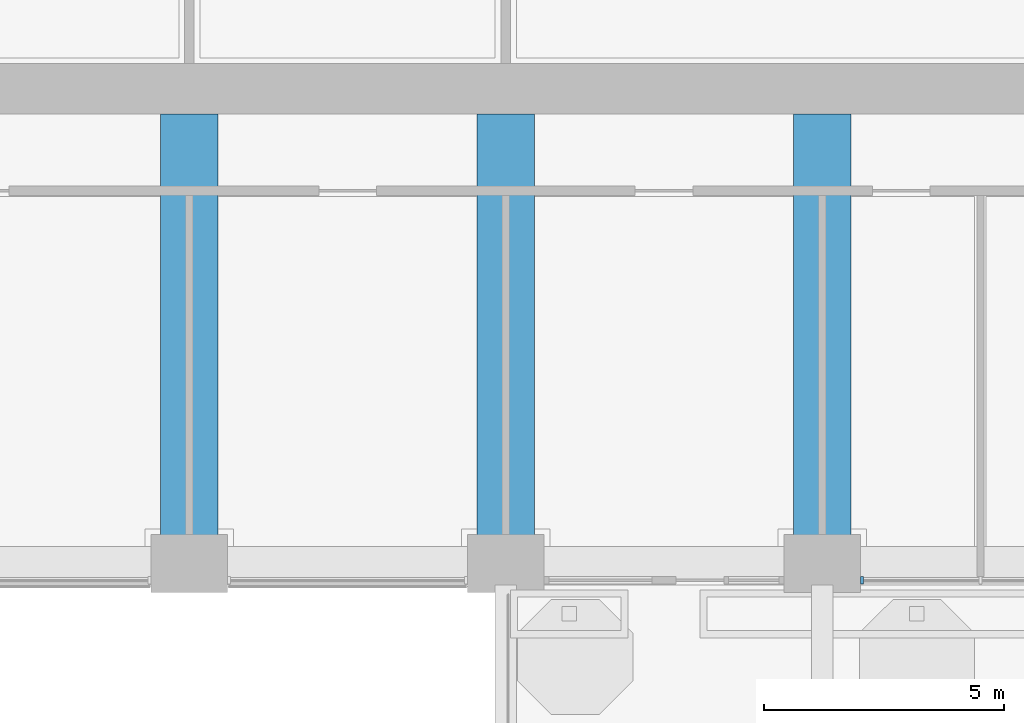
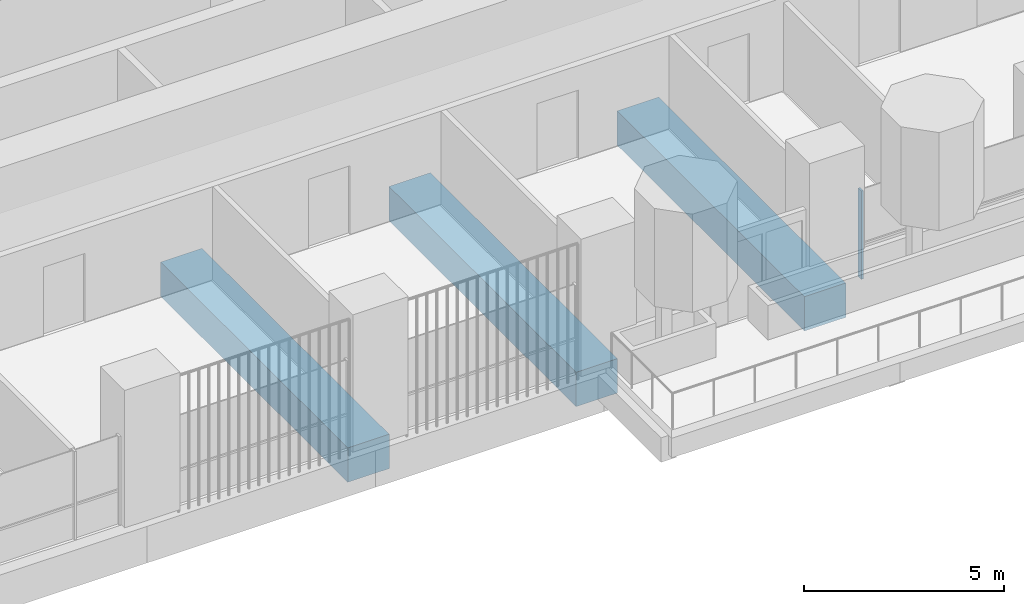
# One storey, part 3 of 20: 3 beams, 1 member, 1 element without a shape of its own.
"""IFC4 building model written with IfcOpenShell, lengths in metres."""

from ifc_helpers import new_model, si_unit, direction, frame, origin, origin_2d, place, context, subcontext, project, spatial, rectangle, extrude, material, material_profile, profile_set, type_object, element, aggregate, save


model = new_model("IFC4")

# Units and contexts
model_context = context("Model", 3, precision=1e-05, world=origin(), true_north=direction((0.0, 1.0)))
body_context = subcontext(model_context, "Body", "Model", "MODEL_VIEW")
ifc_project = project(units=[si_unit("LENGTHUNIT", "METRE"), si_unit("AREAUNIT", "SQUARE_METRE"), si_unit("VOLUMEUNIT", "CUBIC_METRE"), si_unit("PLANEANGLEUNIT", "RADIAN"), si_unit("MASSUNIT", "GRAM", prefix="KILO")], contexts=[model_context])

# Site, building, storey
site_placement = place(None, origin())
site = spatial("IfcSite", under=ifc_project, at=site_placement, CompositionType="ELEMENT")
building_placement = place(site_placement, origin())
building = spatial("IfcBuilding", under=site, at=building_placement, Name="Cobogo Forest Laboratory Tower", CompositionType="ELEMENT")
storey_placement = place(building_placement, frame((0.0, 0.0, 189.300048828125)))
storey = spatial("IfcBuildingStorey", under=building, at=storey_placement, Name="L43", CompositionType="ELEMENT", Elevation=189.300048828125)

# Beams
ifc_material_1 = material(Name="Concrete HA-40 (C40/50)", Category="concrete")
ifc_material_profile_1 = material_profile(ifc_material_1, rectangle(XDim=1.199951171875, YDim=1.050048828125, at=origin_2d()), Name="RC 1200x1050")
ifc_profile_set_1 = profile_set([ifc_material_profile_1], Name="Concrete HA-40 (C40/50)")
beam_type = type_object("IfcBeamType", Name="Laboratory floor wide beam 1200x1050", PredefinedType="BEAM", material=ifc_profile_set_1)
for number, where, z_axis, x_axis, name in (
    (1, (19.800048828125, 12.675048828125, -0.824951171875), (0.0, -1.0, 0.0), (1.0, 0.0, 0.0), "RB1 R-4-S L43"),
    (2, (26.39990234375, 12.675048828125, -0.824951171875), (0.0, -1.0, 0.0), (1.0, 0.0, 0.0), "RB1 R-5-S L43"),
    (3, (33.0, 12.675048828125, -0.824951171875), (0.0, -1.0, 0.0), (1.0, 0.0, 0.0), "RB1 R-6-S L43"),
):
    element("IfcBeam", number, at=place(storey_placement, frame(where, z_axis=z_axis, x_axis=x_axis)), inside=storey, type_object=beam_type, Name=name, PredefinedType="BEAM", context=body_context, shape_type="SweptSolid", body=[
        extrude(rectangle(XDim=1.199951171875, YDim=1.050048828125, at=origin_2d()), origin(), (0.0, 0.0, 1.0), 9.375),
    ])

# Curtain wall, member
ifc_material_2 = material(Name="Aluminium curtain wall", Category="aluminium")
curtain_wall_type = type_object("IfcCurtainWallType", Name="CW-2 unitised curtain wall, solar control glazing, laboratory floors zones C and D", PredefinedType="USERDEFINED", material=ifc_material_2)
curtain_wall_placement = place(storey_placement, origin())
curtain_wall = element("IfcCurtainWall", 4, at=curtain_wall_placement, inside=storey, type_object=curtain_wall_type, Name="Curtain wall 05 L43", ObjectType="UNITISED CURTAIN WALL", PredefinedType="USERDEFINED")
ifc_material_3 = material(Name="Aluminium mullion", Category="aluminium")
ifc_material_profile_2 = material_profile(ifc_material_3, rectangle(XDim=0.06005859375, YDim=0.159912109375, at=origin_2d()), Name="AL 60x160")
ifc_profile_set_2 = profile_set([ifc_material_profile_2], Name="Aluminium mullion")
member_type = type_object("IfcMemberType", Name="MU-1 aluminium mullion 60x160", PredefinedType="MULLION", material=ifc_profile_set_2)
member_placement = place(storey_placement, frame((33.830078125, 2.949951171875, 0.0), z_axis=(0.0, 0.0, 1.0), x_axis=(1.0, 0.0, 0.0)))
member = element("IfcMember", 5, at=member_placement, type_object=member_type, Name="CW-2 mullion 1", PredefinedType="MULLION", context=body_context, shape_type="SweptSolid", body=[
    extrude(rectangle(XDim=0.06005859375, YDim=0.159912109375, at=origin_2d()), origin(), (0.0, 0.0, 1.0), 2.699951171875),
])
aggregate(curtain_wall, [member])

save(model, "model.ifc")
